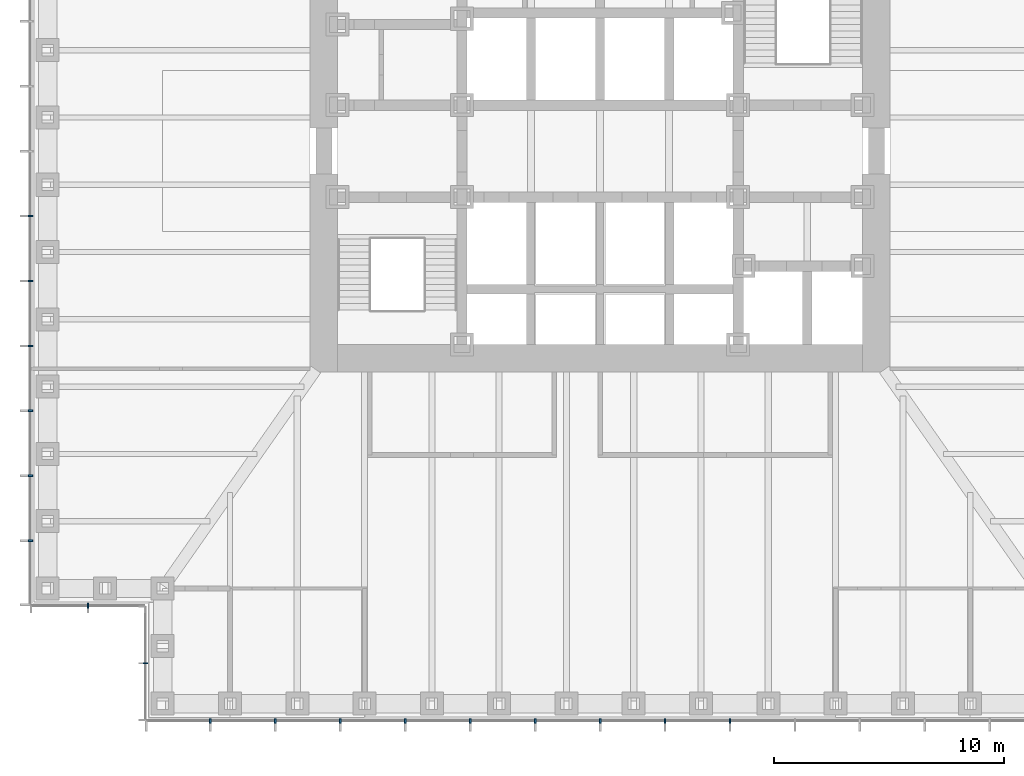
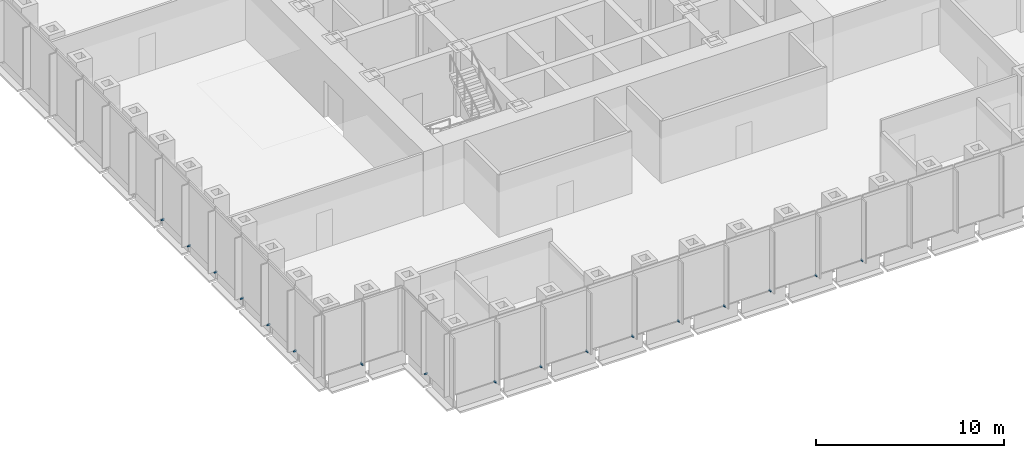
# One storey, part 11 of 16: 17 discrete accessories.
"""IFC4 building model written with IfcOpenShell, lengths in metres."""

import ifcopenshell
import ifcopenshell.guid

model = None  # the IFC model being written
_history = None  # IfcOwnerHistory: only IFC2X3 demands one
_inside = {}  # id of a spatial element -> (the spatial element, [elements in it])
_under = {}  # id of a project, library or spatial element -> (it, [spatial elements below it])
_declared = {}  # id of a project -> (the project, [libraries it declares])
_typed = {}  # id of a type object -> (the type object, [elements of that type])
_made_of = {}  # id of a material, layer set ... -> (it, [elements and type objects made of it])


def new_model(schema):
    """Start an empty IFC model of exactly this schema.

    Asked for "IFC4X3", IfcOpenShell would pick the latest addendum, in which some entities
    have other attributes; the version numbers below select the first issue.
    IFC2X3 requires an IfcOwnerHistory on every rooted entity: one is made here for all.
    """
    global model, _history
    if schema == "IFC4X3":
        model = ifcopenshell.file(schema_version=(4, 3, 0, 0))
    else:
        model = ifcopenshell.file(schema=schema)
    _inside.clear()
    _under.clear()
    _declared.clear()
    _typed.clear()
    _made_of.clear()
    _history = None
    if model.schema == "IFC2X3":
        org = make("IfcOrganization", Name="unknown")
        user = make(
            "IfcPersonAndOrganization",
            ThePerson=make("IfcPerson", FamilyName="unknown"),
            TheOrganization=org,
        )
        app = make(
            "IfcApplication",
            ApplicationDeveloper=org,
            Version="unknown",
            ApplicationFullName="unknown",
            ApplicationIdentifier="unknown",
        )
        _history = make(
            "IfcOwnerHistory",
            OwningUser=user,
            OwningApplication=app,
            ChangeAction="ADDED",
            CreationDate=0,
        )
    return model


def make(cls, **values):
    """One entity of the class cls with the attributes given. An attribute that is None is left unset."""
    return model.create_entity(
        cls, **{name: value for name, value in values.items() if value is not None}
    )


def rooted(cls, **values):
    """An entity with a GlobalId (a new one), such as an element, a storey or a relation."""
    return make(cls, GlobalId=ifcopenshell.guid.new(), OwnerHistory=_history, **values)


def si_unit(unit_type, name, prefix=None):
    """IfcSIUnit, for example si_unit("LENGTHUNIT", "METRE", prefix="MILLI")."""
    return make("IfcSIUnit", UnitType=unit_type, Prefix=prefix, Name=name)


def assignment(units):
    """IfcUnitAssignment: the units of a project."""
    return None if units is None else make("IfcUnitAssignment", Units=units)


def point(xyz):
    """IfcCartesianPoint."""
    return None if xyz is None else make("IfcCartesianPoint", Coordinates=xyz)


def direction(xyz):
    """IfcDirection."""
    return None if xyz is None else make("IfcDirection", DirectionRatios=xyz)


def frame(location, z_axis=None, x_axis=None):
    """IfcAxis2Placement3D, a coordinate frame: its origin and axes. An axis left out is left unset."""
    return make(
        "IfcAxis2Placement3D",
        Location=point(location),
        Axis=direction(z_axis),
        RefDirection=direction(x_axis),
    )


def frame_2d(location, x_axis=None):
    """IfcAxis2Placement2D, a coordinate frame in the plane: its origin and x axis."""
    return make(
        "IfcAxis2Placement2D", Location=point(location), RefDirection=direction(x_axis)
    )


def origin():
    """The frame at (0, 0, 0) with its axes left unset."""
    return frame((0.0, 0.0, 0.0))


def origin_2d():
    """The frame at (0, 0) in the plane with its x axis left unset."""
    return frame_2d((0.0, 0.0))


def place(relative_to, where):
    """IfcLocalPlacement: puts the frame where relative to a parent placement (None: the world)."""
    return make(
        "IfcLocalPlacement", PlacementRelTo=relative_to, RelativePlacement=where
    )


def context(
    kind, dimensions, precision=None, world=None, true_north=None, identifier=None
):
    """IfcGeometricRepresentationContext, for example the 3D "Model" context."""
    return make(
        "IfcGeometricRepresentationContext",
        ContextIdentifier=identifier,
        ContextType=kind,
        CoordinateSpaceDimension=dimensions,
        Precision=precision,
        WorldCoordinateSystem=world,
        TrueNorth=true_north,
    )


def subcontext(parent, identifier, kind, view, scale=None):
    """IfcGeometricRepresentationSubContext, for example "Body" below "Model"."""
    return make(
        "IfcGeometricRepresentationSubContext",
        ContextIdentifier=identifier,
        ContextType=kind,
        ParentContext=parent,
        TargetScale=scale,
        TargetView=view,
    )


def project(units=None, contexts=None):
    """IfcProject with its units and contexts."""
    return rooted(
        "IfcProject",
        Name="project",
        RepresentationContexts=contexts,
        UnitsInContext=assignment(units),
    )


def spatial(cls, under=None, at=None, **own):
    """A site, building, storey or space (cls), placed at a placement, below another one or the project."""
    s = rooted(cls, ObjectPlacement=at, **own)
    if under is not None:
        _under.setdefault(under.id(), (under, []))[1].append(s)
    return s


def profile(cls, at=None, kind="AREA", **sizes):
    """A parametric profile (cls). Its sizes go by their IFC names, for example OverallWidth=200.0."""
    return make(cls, ProfileType=kind, Position=at, **sizes)


def rectangle(**sizes):
    """IfcRectangleProfileDef."""
    return profile("IfcRectangleProfileDef", **sizes)


def extrude(swept, where, along, depth):
    """IfcExtrudedAreaSolid: the profile swept, set in the frame where, extruded along a direction by depth."""
    return make(
        "IfcExtrudedAreaSolid",
        SweptArea=swept,
        Position=where,
        ExtrudedDirection=direction(along),
        Depth=depth,
    )


def shape(context_of_items, identifier, shape_type, items):
    """IfcShapeRepresentation: the items that make up one representation, for example the "Body"."""
    return make(
        "IfcShapeRepresentation",
        ContextOfItems=context_of_items,
        RepresentationIdentifier=identifier,
        RepresentationType=shape_type,
        Items=items,
    )


def made_of(thing, what):
    """Note that an element or type object is made of a material, layer set ...; save() writes the relation."""
    if what is not None:
        _made_of.setdefault(what.id(), (what, []))[1].append(thing)
    return thing


def element(
    cls,
    number,
    at=None,
    inside=None,
    cuts=None,
    type_object=None,
    material=None,
    context=None,
    identifier="Body",
    shape_type=None,
    held_by="IfcProductDefinitionShape",
    body=None,
    shapes=None,
    **own,
):
    """One element of the class cls, such as IfcWall. Its Tag is "e" and its number.

    at: its placement. inside: the storey or other place that contains it. cuts: it is an
    opening in that element (IfcRelVoidsElement). A single representation is given by context,
    identifier, shape_type and body (its items); several are given by shapes. held_by: the class
    of the entity that holds the representations. save() writes the other relations.
    """
    e = rooted(cls, Tag="e%d" % number, ObjectPlacement=at, **own)
    if body is not None:
        shapes = [shape(context, identifier, shape_type, body)]
    if shapes is not None:
        e.Representation = make(held_by, Representations=shapes)
    if inside is not None:
        _inside.setdefault(inside.id(), (inside, []))[1].append(e)
    if cuts is not None:
        rooted(
            "IfcRelVoidsElement", RelatingBuildingElement=cuts, RelatedOpeningElement=e
        )
    if type_object is not None:
        _typed.setdefault(type_object.id(), (type_object, []))[1].append(e)
    return made_of(e, material)


def aggregate(whole, parts):
    """IfcRelAggregates: a whole, such as a stair, and the parts it consists of."""
    return rooted("IfcRelAggregates", RelatingObject=whole, RelatedObjects=parts)


def save(model, path):
    """Write the relations noted so far, then the file.

    IfcRelAggregates (storeys below a building ...), IfcRelContainedInSpatialStructure (elements
    in a storey), IfcRelDefinesByType, IfcRelAssociatesMaterial and IfcRelDeclares: one each for
    every whole, place, type object, material and project.
    """
    for whole, parts in _under.values():
        aggregate(whole, parts)
    for where, things in _inside.values():
        rooted(
            "IfcRelContainedInSpatialStructure",
            RelatedElements=things,
            RelatingStructure=where,
        )
    for kind, things in _typed.values():
        rooted("IfcRelDefinesByType", RelatedObjects=things, RelatingType=kind)
    for what, things in _made_of.values():
        rooted("IfcRelAssociatesMaterial", RelatedObjects=things, RelatingMaterial=what)
    for by, libraries in _declared.values():
        rooted("IfcRelDeclares", RelatingContext=by, RelatedDefinitions=libraries)
    model.write(path)


model = new_model("IFC4")

# Units and contexts
model_context = context("Model", 3, precision=1e-05, world=origin(), true_north=direction((0.0, 1.0)))
body_context = subcontext(model_context, "Body", "Model", "MODEL_VIEW")
ifc_project = project(units=[si_unit("LENGTHUNIT", "METRE"), si_unit("AREAUNIT", "SQUARE_METRE"), si_unit("VOLUMEUNIT", "CUBIC_METRE"), si_unit("PLANEANGLEUNIT", "RADIAN"), si_unit("MASSUNIT", "GRAM", prefix="KILO")], contexts=[model_context])

# Site, building, storey
site_placement = place(None, origin())
site = spatial("IfcSite", under=ifc_project, at=site_placement, CompositionType="ELEMENT")
building_placement = place(site_placement, origin())
building = spatial("IfcBuilding", under=site, at=building_placement, Name="Daluyong Arena Tower", CompositionType="ELEMENT")
storey_placement = place(building_placement, frame((0.0, 0.0, 47.5)))
storey = spatial("IfcBuildingStorey", under=building, at=storey_placement, Name="L09", CompositionType="ELEMENT", Elevation=47.5)

# Discrete accessories
for number, where, z_axis, x_axis, name in (
    (1, (39.071533203125, 55.25, -0.10009765625), (0.0, 0.0, 1.0), (1.0, 0.0, 0.0), "curtain wall L09 S anchor bracket 2"),
    (2, (41.892822265625, 55.25, -0.10009765625), (0.0, 0.0, 1.0), (1.0, 0.0, 0.0), "curtain wall L09 S anchor bracket 3"),
    (3, (44.71435546875, 55.25, -0.10009765625), (0.0, 0.0, 1.0), (1.0, 0.0, 0.0), "curtain wall L09 S anchor bracket 4"),
    (4, (47.53564453125, 55.25, -0.10009765625), (0.0, 0.0, 1.0), (1.0, 0.0, 0.0), "curtain wall L09 S anchor bracket 5"),
    (5, (50.357177734375, 55.25, -0.10009765625), (0.0, 0.0, 1.0), (1.0, 0.0, 0.0), "curtain wall L09 S anchor bracket 6"),
    (6, (53.178466796875, 55.25, -0.10009765625), (0.0, 0.0, 1.0), (1.0, 0.0, 0.0), "curtain wall L09 S anchor bracket 7"),
    (7, (56.0, 55.25, -0.10009765625), (0.0, 0.0, 1.0), (1.0, 0.0, 0.0), "curtain wall L09 S anchor bracket 8"),
    (8, (58.821533203125, 55.25, -0.10009765625), (0.0, 0.0, 1.0), (1.0, 0.0, 0.0), "curtain wall L09 S anchor bracket 9"),
    (9, (61.642822265625, 55.25, -0.10009765625), (0.0, 0.0, 1.0), (1.0, 0.0, 0.0), "curtain wall L09 S anchor bracket 10"),
    (10, (31.25, 77.178466796875, -0.10009765625), (0.0, 0.0, 1.0), (0.0, -1.0, 0.0), "curtain wall L09 W anchor bracket 9"),
    (11, (31.25, 74.357177734375, -0.10009765625), (0.0, 0.0, 1.0), (0.0, -1.0, 0.0), "curtain wall L09 W anchor bracket 10"),
    (12, (31.25, 71.53564453125, -0.10009765625), (0.0, 0.0, 1.0), (0.0, -1.0, 0.0), "curtain wall L09 W anchor bracket 11"),
    (13, (31.25, 68.71435546875, -0.10009765625), (0.0, 0.0, 1.0), (0.0, -1.0, 0.0), "curtain wall L09 W anchor bracket 12"),
    (14, (31.25, 65.892822265625, -0.10009765625), (0.0, 0.0, 1.0), (0.0, -1.0, 0.0), "curtain wall L09 W anchor bracket 13"),
    (15, (31.25, 63.071533203125, -0.10009765625), (0.0, 0.0, 1.0), (0.0, -1.0, 0.0), "curtain wall L09 W anchor bracket 14"),
):
    element("IfcDiscreteAccessory", number, at=place(storey_placement, frame(where, z_axis=z_axis, x_axis=x_axis)), inside=storey, Name=name, PredefinedType="BRACKET", context=body_context, shape_type="SweptSolid", body=[
        extrude(rectangle(XDim=0.080078125, YDim=0.199951171875, at=origin_2d()), origin(), (0.0, 0.0, 1.0), 0.10009765625),
    ])
for number, where, z_axis, x_axis, name in (
    (16, (33.75, 60.25, -0.10009765625), (0.0, 0.0, 1.0), (1.0, 0.0, 0.0), "curtain wall L09 SW-S anchor bracket 2"),
    (17, (36.25, 57.75, -0.10009765625), (0.0, 0.0, 1.0), (0.0, -1.0, 0.0), "curtain wall L09 SW-W anchor bracket 2"),
):
    element("IfcDiscreteAccessory", number, at=place(storey_placement, frame(where, z_axis=z_axis, x_axis=x_axis)), inside=storey, Name=name, PredefinedType="BRACKET", context=body_context, shape_type="SweptSolid", body=[
        extrude(rectangle(XDim=0.06005859375, YDim=0.199951171875, at=origin_2d()), origin(), (0.0, 0.0, 1.0), 0.10009765625),
    ])

save(model, "model.ifc")
